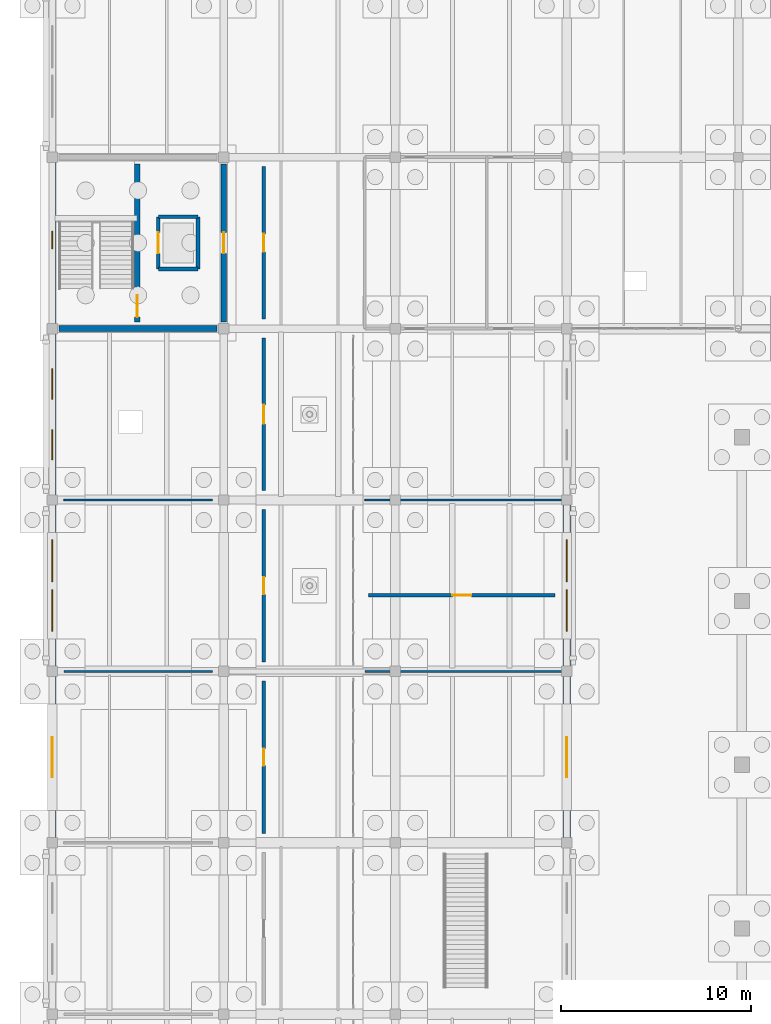
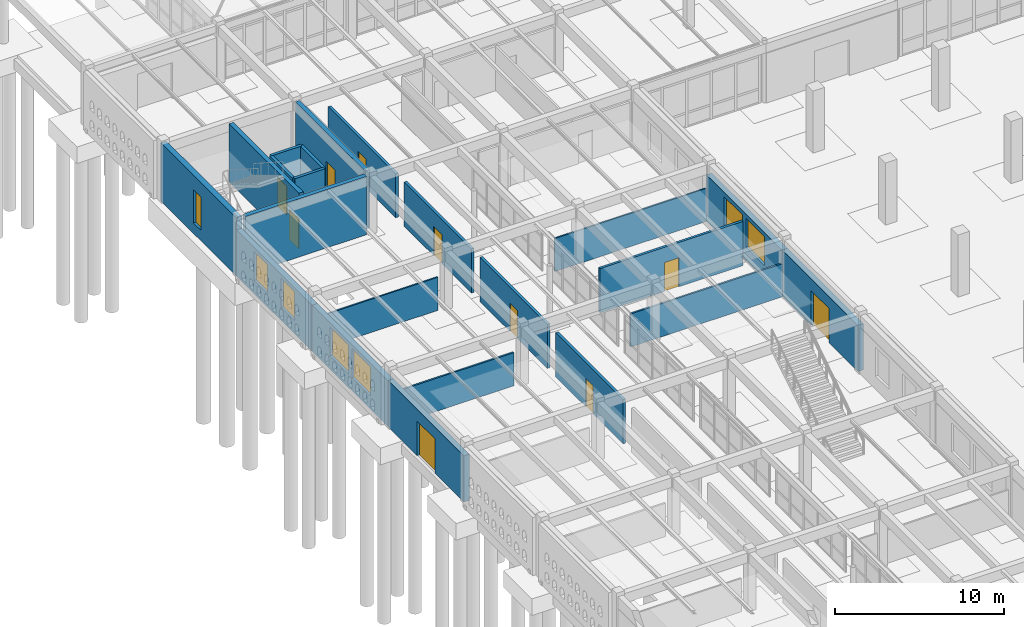
# One storey, part 163 of 186: 22 walls, 10 doors, 7 windows, 17 openings.
"""IFC4 building model written with IfcOpenShell, lengths in metres."""

from ifc_helpers import new_model, si_unit, direction, frame, frame_2d, origin, place, context, subcontext, project, spatial, rectangle, extrude, material, layer, layer_set, type_object, element, fill, save


model = new_model("IFC4")

# Units and contexts
model_context = context("Model", 3, precision=1e-05, world=origin(), true_north=direction((0.0, 1.0)))
body_context = subcontext(model_context, "Body", "Model", "MODEL_VIEW")
ifc_project = project(units=[si_unit("LENGTHUNIT", "METRE"), si_unit("AREAUNIT", "SQUARE_METRE"), si_unit("VOLUMEUNIT", "CUBIC_METRE"), si_unit("PLANEANGLEUNIT", "RADIAN"), si_unit("MASSUNIT", "GRAM", prefix="KILO")], contexts=[model_context])

# Site, building, storey
site_placement = place(None, origin())
site = spatial("IfcSite", under=ifc_project, at=site_placement, CompositionType="ELEMENT")
building_placement = place(site_placement, origin())
building = spatial("IfcBuilding", under=site, at=building_placement, Name="Ornek Quay Market", CompositionType="ELEMENT")
storey_placement = place(building_placement, origin())
storey = spatial("IfcBuildingStorey", under=building, at=storey_placement, Name="L00", CompositionType="ELEMENT", Elevation=0.0)

# Wall, opening, door
ifc_material_1 = material(Name="Concrete C40/50", Category="concrete")
ifc_layer_1 = layer(ifc_material_1, 0.300048828125, Name="Concrete C40/50", Category="concrete")
ifc_layer_set_1 = layer_set([ifc_layer_1], Name="Concrete C40/50")
wall_type_1 = type_object("IfcWallType", Name="WL-CORE-300", PredefinedType="SHEAR", material=ifc_layer_set_1)
wall_1_placement = place(storey_placement, frame((4.449951171875, 92.35009765625, 0.0), z_axis=(0.0, 0.0, 1.0), x_axis=(0.0, 1.0, 0.0)))
wall_1 = element("IfcWall", 1, at=wall_1_placement, inside=storey, type_object=wall_type_1, Name="Interior wall W-CORE1-001", PredefinedType="SHEAR", context=body_context, shape_type="SweptSolid", body=[
    extrude(rectangle(XDim=8.2998046875, YDim=0.300048828125, at=frame_2d((4.14990234375, 0.0))), origin(), (0.0, 0.0, 1.0), 4.219970703125),
])
opening_1_placement = place(wall_1_placement, frame((0.25, 0.0, 0.0)))
opening_1 = element("IfcOpeningElement", 2, at=opening_1_placement, cuts=wall_1, Name="Opening FD-03-001", PredefinedType="OPENING", context=body_context, shape_type="SweptSolid", body=[
    extrude(rectangle(XDim=1.14990234375, YDim=2.14990234375, at=frame_2d((0.574951171875, 1.074951171875))), frame((0.0, 0.159912109375, 0.0), z_axis=(0.0, -1.0, 0.0), x_axis=(1.0, 0.0, 0.0)), (0.0, 0.0, 1.0), 0.320068359375),
])
ifc_material_2 = material(Name="Insulated fire-rated painted steel", Category="steel")
door_type_1 = type_object("IfcDoorType", Name="DR-FIRE-STAIR-1150x2150", OperationType="NOTDEFINED", PredefinedType="DOOR", material=ifc_material_2)
door_1_placement = place(opening_1_placement, origin())
door_1 = element("IfcDoor", 3, at=door_1_placement, inside=storey, type_object=door_type_1, Name="Interior door FD-03-001", OperationType="SINGLE_SWING_RIGHT", OverallHeight=2.14990234375, OverallWidth=1.14990234375, PredefinedType="DOOR", context=body_context, shape_type="SweptSolid", body=[
    extrude(rectangle(XDim=1.14990234375, YDim=2.14990234375, at=frame_2d((0.574951171875, 1.074951171875))), frame((0.0, 0.02490234375, 0.0), z_axis=(0.0, -1.0, 0.0), x_axis=(1.0, 0.0, 0.0)), (0.0, 0.0, 1.0), 0.050048828125),
])
fill(opening_1, door_1)

wall_2_placement = place(storey_placement, frame((9.0, 92.35009765625, 0.0), z_axis=(0.0, 0.0, 1.0), x_axis=(0.0, 1.0, 0.0)))
wall_2 = element("IfcWall", 4, at=wall_2_placement, inside=storey, type_object=wall_type_1, Name="Interior wall W-CORE1-002", PredefinedType="SHEAR", context=body_context, shape_type="SweptSolid", body=[
    extrude(rectangle(XDim=8.2998046875, YDim=0.300048828125, at=frame_2d((4.14990234375, 0.0))), origin(), (0.0, 0.0, 1.0), 4.219970703125),
])
opening_2_placement = place(wall_2_placement, frame((3.60009765625, 0.0, 0.0)))
opening_2 = element("IfcOpeningElement", 5, at=opening_2_placement, cuts=wall_2, Name="Opening FD-04-002", PredefinedType="OPENING", context=body_context, shape_type="SweptSolid", body=[
    extrude(rectangle(XDim=1.10009765625, YDim=2.10009765625, at=frame_2d((0.550048828125, 1.050048828125))), frame((0.0, 0.159912109375, 0.0), z_axis=(0.0, -1.0, 0.0), x_axis=(1.0, 0.0, 0.0)), (0.0, 0.0, 1.0), 0.320068359375),
])
door_type_2 = type_object("IfcDoorType", Name="DR-FIRE-LOBBY-1100x2100", OperationType="NOTDEFINED", PredefinedType="DOOR", material=ifc_material_2)
door_2_placement = place(opening_2_placement, origin())
door_2 = element("IfcDoor", 6, at=door_2_placement, inside=storey, type_object=door_type_2, Name="Interior door FD-04-002", OperationType="SINGLE_SWING_LEFT", OverallHeight=2.10009765625, OverallWidth=1.10009765625, PredefinedType="DOOR", context=body_context, shape_type="SweptSolid", body=[
    extrude(rectangle(XDim=1.10009765625, YDim=2.10009765625, at=frame_2d((0.550048828125, 1.050048828125))), frame((0.0, 0.02490234375, 0.0), z_axis=(0.0, -1.0, 0.0), x_axis=(1.0, 0.0, 0.0)), (0.0, 0.0, 1.0), 0.050048828125),
])
fill(opening_2, door_2)

# Wall
wall_3_placement = place(storey_placement, frame((0.35009765625, 92.0, 0.0), z_axis=(0.0, 0.0, 1.0), x_axis=(1.0, 0.0, 0.0)))
element("IfcWall", 7, at=wall_3_placement, inside=storey, type_object=wall_type_1, Name="Interior wall W-CORE1-003", PredefinedType="SHEAR", context=body_context, shape_type="SweptSolid", body=[
    extrude(rectangle(XDim=8.2998046875, YDim=0.300048828125, at=frame_2d((4.14990234375, 0.0))), origin(), (0.0, 0.0, 1.0), 4.219970703125),
])

# Wall, opening, door
ifc_material_3 = material(Name="Autoclaved aerated concrete masonry", Category="masonry")
ifc_layer_2 = layer(ifc_material_3, 0.179931640625, Name="Autoclaved aerated concrete masonry", Category="masonry")
ifc_layer_set_2 = layer_set([ifc_layer_2], Name="Autoclaved aerated concrete masonry")
wall_type_2 = type_object("IfcWallType", Name="WL-CORR-180", PredefinedType="STANDARD", material=ifc_layer_set_2)
wall_4_placement = place(storey_placement, frame((11.10009765625, 65.5, 0.0), z_axis=(0.0, 0.0, 1.0), x_axis=(0.0, 1.0, 0.0)))
wall_4 = element("IfcWall", 8, at=wall_4_placement, inside=storey, type_object=wall_type_2, Name="Interior wall W-INT1-230", PredefinedType="STANDARD", context=body_context, shape_type="SweptSolid", body=[
    extrude(rectangle(XDim=8.0, YDim=0.179931640625, at=frame_2d((4.0, 0.0))), origin(), (0.0, 0.0, 1.0), 3.199951171875),
])
opening_3_placement = place(wall_4_placement, frame((3.550048828125, 0.0, 0.0)))
opening_3 = element("IfcOpeningElement", 9, at=opening_3_placement, cuts=wall_4, Name="Opening ID-05-103", PredefinedType="OPENING", context=body_context, shape_type="SweptSolid", body=[
    extrude(rectangle(XDim=0.89990234375, YDim=2.050048828125, at=frame_2d((0.449951171875, 1.02490234375))), frame((0.0, 0.099853515625, 0.0), z_axis=(0.0, -1.0, 0.0), x_axis=(1.0, 0.0, 0.0)), (0.0, 0.0, 1.0), 0.199951171875),
])
ifc_material_4 = material(Name="Timber market stall service door", Category="wood")
door_type_3 = type_object("IfcDoorType", Name="DR-INT-STALL-900x2050", OperationType="NOTDEFINED", PredefinedType="DOOR", material=ifc_material_4)
door_3_placement = place(opening_3_placement, origin())
door_3 = element("IfcDoor", 10, at=door_3_placement, inside=storey, type_object=door_type_3, Name="Interior door ID-05-103", OperationType="SINGLE_SWING_RIGHT", OverallHeight=2.050048828125, OverallWidth=0.89990234375, PredefinedType="DOOR", context=body_context, shape_type="SweptSolid", body=[
    extrude(rectangle(XDim=0.89990234375, YDim=2.050048828125, at=frame_2d((0.449951171875, 1.02490234375))), frame((0.0, 0.02490234375, 0.0), z_axis=(0.0, -1.0, 0.0), x_axis=(1.0, 0.0, 0.0)), (0.0, 0.0, 1.0), 0.050048828125),
])
fill(opening_3, door_3)

wall_5_placement = place(storey_placement, frame((11.10009765625, 74.5, 0.0), z_axis=(0.0, 0.0, 1.0), x_axis=(0.0, 1.0, 0.0)))
wall_5 = element("IfcWall", 11, at=wall_5_placement, inside=storey, type_object=wall_type_2, Name="Interior wall W-INT1-231", PredefinedType="STANDARD", context=body_context, shape_type="SweptSolid", body=[
    extrude(rectangle(XDim=8.0, YDim=0.179931640625, at=frame_2d((4.0, 0.0))), origin(), (0.0, 0.0, 1.0), 3.199951171875),
])
opening_4_placement = place(wall_5_placement, frame((3.550048828125, 0.0, 0.0)))
opening_4 = element("IfcOpeningElement", 12, at=opening_4_placement, cuts=wall_5, Name="Opening ID-05-104", PredefinedType="OPENING", context=body_context, shape_type="SweptSolid", body=[
    extrude(rectangle(XDim=0.89990234375, YDim=2.050048828125, at=frame_2d((0.449951171875, 1.02490234375))), frame((0.0, 0.099853515625, 0.0), z_axis=(0.0, -1.0, 0.0), x_axis=(1.0, 0.0, 0.0)), (0.0, 0.0, 1.0), 0.199951171875),
])
door_4_placement = place(opening_4_placement, origin())
door_4 = element("IfcDoor", 13, at=door_4_placement, inside=storey, type_object=door_type_3, Name="Interior door ID-05-104", OperationType="SINGLE_SWING_LEFT", OverallHeight=2.050048828125, OverallWidth=0.89990234375, PredefinedType="DOOR", context=body_context, shape_type="SweptSolid", body=[
    extrude(rectangle(XDim=0.89990234375, YDim=2.050048828125, at=frame_2d((0.449951171875, 1.02490234375))), frame((0.0, 0.02490234375, 0.0), z_axis=(0.0, -1.0, 0.0), x_axis=(1.0, 0.0, 0.0)), (0.0, 0.0, 1.0), 0.050048828125),
])
fill(opening_4, door_4)

wall_6_placement = place(storey_placement, frame((11.10009765625, 83.5, 0.0), z_axis=(0.0, 0.0, 1.0), x_axis=(0.0, 1.0, 0.0)))
wall_6 = element("IfcWall", 14, at=wall_6_placement, inside=storey, type_object=wall_type_2, Name="Interior wall W-INT1-232", PredefinedType="STANDARD", context=body_context, shape_type="SweptSolid", body=[
    extrude(rectangle(XDim=8.0, YDim=0.179931640625, at=frame_2d((4.0, 0.0))), origin(), (0.0, 0.0, 1.0), 3.199951171875),
])
opening_5_placement = place(wall_6_placement, frame((3.5, 0.0, 0.0)))
opening_5 = element("IfcOpeningElement", 15, at=opening_5_placement, cuts=wall_6, Name="Opening ID-03-105", PredefinedType="OPENING", context=body_context, shape_type="SweptSolid", body=[
    extrude(rectangle(XDim=1.0, YDim=2.10009765625, at=frame_2d((0.5, 1.050048828125))), frame((0.0, 0.099853515625, 0.0), z_axis=(0.0, -1.0, 0.0), x_axis=(1.0, 0.0, 0.0)), (0.0, 0.0, 1.0), 0.199951171875),
])
ifc_material_5 = material(Name="Solid oak door", Category="other")
door_type_4 = type_object("IfcDoorType", Name="DR-INT-ROOM-1000x2100", OperationType="NOTDEFINED", PredefinedType="DOOR", material=ifc_material_5)
door_5_placement = place(opening_5_placement, origin())
door_5 = element("IfcDoor", 16, at=door_5_placement, inside=storey, type_object=door_type_4, Name="Interior door ID-03-105", OperationType="SINGLE_SWING_RIGHT", OverallHeight=2.10009765625, OverallWidth=1.0, PredefinedType="DOOR", context=body_context, shape_type="SweptSolid", body=[
    extrude(rectangle(XDim=1.0, YDim=2.10009765625, at=frame_2d((0.5, 1.050048828125))), frame((0.0, 0.02490234375, 0.0), z_axis=(0.0, -1.0, 0.0), x_axis=(1.0, 0.0, 0.0)), (0.0, 0.0, 1.0), 0.050048828125),
])
fill(opening_5, door_5)

wall_7_placement = place(storey_placement, frame((11.10009765625, 92.5, 0.0), z_axis=(0.0, 0.0, 1.0), x_axis=(0.0, 1.0, 0.0)))
wall_7 = element("IfcWall", 17, at=wall_7_placement, inside=storey, type_object=wall_type_2, Name="Interior wall W-INT1-233", PredefinedType="STANDARD", context=body_context, shape_type="SweptSolid", body=[
    extrude(rectangle(XDim=8.0, YDim=0.179931640625, at=frame_2d((4.0, 0.0))), origin(), (0.0, 0.0, 1.0), 3.199951171875),
])
opening_6_placement = place(wall_7_placement, frame((3.52490234375, 0.0, 0.0)))
opening_6 = element("IfcOpeningElement", 18, at=opening_6_placement, cuts=wall_7, Name="Opening ID-04-106", PredefinedType="OPENING", context=body_context, shape_type="SweptSolid", body=[
    extrude(rectangle(XDim=0.949951171875, YDim=2.10009765625, at=frame_2d((0.47509765625, 1.050048828125))), frame((0.0, 0.099853515625, 0.0), z_axis=(0.0, -1.0, 0.0), x_axis=(1.0, 0.0, 0.0)), (0.0, 0.0, 1.0), 0.199951171875),
])
ifc_material_6 = material(Name="Moisture-resistant laminate door", Category="other")
door_type_5 = type_object("IfcDoorType", Name="DR-INT-WC-950x2100", OperationType="NOTDEFINED", PredefinedType="DOOR", material=ifc_material_6)
door_6_placement = place(opening_6_placement, origin())
door_6 = element("IfcDoor", 19, at=door_6_placement, inside=storey, type_object=door_type_5, Name="Interior door ID-04-106", OperationType="SINGLE_SWING_LEFT", OverallHeight=2.10009765625, OverallWidth=0.949951171875, PredefinedType="DOOR", context=body_context, shape_type="SweptSolid", body=[
    extrude(rectangle(XDim=0.949951171875, YDim=2.10009765625, at=frame_2d((0.47509765625, 1.050048828125))), frame((0.0, 0.02490234375, 0.0), z_axis=(0.0, -1.0, 0.0), x_axis=(1.0, 0.0, 0.0)), (0.0, 0.0, 1.0), 0.050048828125),
])
fill(opening_6, door_6)

ifc_material_7 = material(Name="Frost-resistant facing clay brick M200 F100", Category="masonry")
ifc_layer_3 = layer(ifc_material_7, 0.3798828125, Name="Frost-resistant facing clay brick M200 F100", Category="masonry")
ifc_layer_set_3 = layer_set([ifc_layer_3], Name="Frost-resistant facing clay brick M200 F100")
wall_type_3 = type_object("IfcWallType", Name="WL-EXT-WING-380", PredefinedType="STANDARD", material=ifc_layer_set_3)
wall_8_placement = place(storey_placement, frame((0.0, 65.0, 0.0), z_axis=(0.0, 0.0, 1.0), x_axis=(0.0, 1.0, 0.0)))
wall_8 = element("IfcWall", 20, at=wall_8_placement, inside=storey, type_object=wall_type_3, Name="Exterior wall EW-044", PredefinedType="STANDARD", context=body_context, shape_type="SweptSolid", body=[
    extrude(rectangle(XDim=9.0, YDim=0.3798828125, at=frame_2d((4.5, 0.0))), origin(), (0.0, 0.0, 1.0), 3.35009765625),
])
opening_7_placement = place(wall_8_placement, frame((3.449951171875, 0.0, 0.0)))
opening_7 = element("IfcOpeningElement", 21, at=opening_7_placement, cuts=wall_8, Name="Opening ED-02-003", PredefinedType="OPENING", context=body_context, shape_type="SweptSolid", body=[
    extrude(rectangle(XDim=2.10009765625, YDim=2.5, at=frame_2d((1.050048828125, 1.25))), frame((0.0, 0.199951171875, 0.0), z_axis=(0.0, -1.0, 0.0), x_axis=(1.0, 0.0, 0.0)), (0.0, 0.0, 1.0), 0.39990234375),
])
ifc_material_8 = material(Name="Anodised bronze aluminium and triple glass", Category="aluminium")
door_type_6 = type_object("IfcDoorType", Name="DR-EXT-DBL-2100x2500", OperationType="DOUBLE_DOOR_SINGLE_SWING", PredefinedType="DOOR", material=ifc_material_8)
door_7_placement = place(opening_7_placement, origin())
door_7 = element("IfcDoor", 22, at=door_7_placement, inside=storey, type_object=door_type_6, Name="Exterior door ED-02-003", OperationType="DOUBLE_DOOR_SINGLE_SWING", OverallHeight=2.5, OverallWidth=2.10009765625, PredefinedType="DOOR", context=body_context, shape_type="SweptSolid", body=[
    extrude(rectangle(XDim=2.10009765625, YDim=2.5, at=frame_2d((1.050048828125, 1.25))), frame((0.0, 0.02490234375, 0.0), z_axis=(0.0, -1.0, 0.0), x_axis=(1.0, 0.0, 0.0)), (0.0, 0.0, 1.0), 0.050048828125),
])
fill(opening_7, door_7)

# Wall, openings, windows
wall_9_placement = place(storey_placement, frame((0.0, 74.0, 0.0), z_axis=(0.0, 0.0, 1.0), x_axis=(0.0, 1.0, 0.0)))
wall_9 = element("IfcWall", 23, at=wall_9_placement, inside=storey, type_object=wall_type_3, Name="Exterior wall EW-045", PredefinedType="STANDARD", context=body_context, shape_type="SweptSolid", body=[
    extrude(rectangle(XDim=9.0, YDim=0.3798828125, at=frame_2d((4.5, 0.0))), origin(), (0.0, 0.0, 1.0), 3.35009765625),
])
opening_8_placement = place(wall_9_placement, frame((2.10009765625, 0.0, 0.949951171875)))
opening_8 = element("IfcOpeningElement", 24, at=opening_8_placement, cuts=wall_9, Name="Opening W-12-008", PredefinedType="OPENING", context=body_context, shape_type="SweptSolid", body=[
    extrude(rectangle(XDim=2.199951171875, YDim=2.10009765625, at=frame_2d((1.10009765625, 1.050048828125))), frame((0.0, 0.199951171875, 0.0), z_axis=(0.0, -1.0, 0.0), x_axis=(1.0, 0.0, 0.0)), (0.0, 0.0, 1.0), 0.39990234375),
])
opening_9_placement = place(wall_9_placement, frame((4.699951171875, 0.0, 0.949951171875)))
opening_9 = element("IfcOpeningElement", 25, at=opening_9_placement, cuts=wall_9, Name="Opening W-12-009", PredefinedType="OPENING", context=body_context, shape_type="SweptSolid", body=[
    extrude(rectangle(XDim=2.199951171875, YDim=2.10009765625, at=frame_2d((1.10009765625, 1.050048828125))), frame((0.0, 0.199951171875, 0.0), z_axis=(0.0, -1.0, 0.0), x_axis=(1.0, 0.0, 0.0)), (0.0, 0.0, 1.0), 0.39990234375),
])
ifc_material_9 = material(Name="Thermally broken bronze aluminium and triple low-e glass", Category="aluminium")
window_type_1 = type_object("IfcWindowType", Name="WN-WW-2200x2100", PartitioningType="DOUBLE_PANEL_VERTICAL", PredefinedType="WINDOW", material=ifc_material_9)
window_1_placement = place(opening_8_placement, origin())
window_1 = element("IfcWindow", 26, at=window_1_placement, inside=storey, type_object=window_type_1, Name="Window W-12-008", OverallHeight=2.10009765625, OverallWidth=2.199951171875, PartitioningType="SINGLE_PANEL", PredefinedType="WINDOW", context=body_context, shape_type="SweptSolid", body=[
    extrude(rectangle(XDim=2.199951171875, YDim=2.10009765625, at=frame_2d((1.10009765625, 1.050048828125))), frame((0.0, 0.030029296875, 0.0), z_axis=(0.0, -1.0, 0.0), x_axis=(1.0, 0.0, 0.0)), (0.0, 0.0, 1.0), 0.06005859375),
])
fill(opening_8, window_1)
window_2_placement = place(opening_9_placement, origin())
window_2 = element("IfcWindow", 27, at=window_2_placement, inside=storey, type_object=window_type_1, Name="Window W-12-009", OverallHeight=2.10009765625, OverallWidth=2.199951171875, PartitioningType="SINGLE_PANEL", PredefinedType="WINDOW", context=body_context, shape_type="SweptSolid", body=[
    extrude(rectangle(XDim=2.199951171875, YDim=2.10009765625, at=frame_2d((1.10009765625, 1.050048828125))), frame((0.0, 0.030029296875, 0.0), z_axis=(0.0, -1.0, 0.0), x_axis=(1.0, 0.0, 0.0)), (0.0, 0.0, 1.0), 0.06005859375),
])
fill(opening_9, window_2)

wall_10_placement = place(storey_placement, frame((0.0, 83.0, 0.0), z_axis=(0.0, 0.0, 1.0), x_axis=(0.0, 1.0, 0.0)))
wall_10 = element("IfcWall", 28, at=wall_10_placement, inside=storey, type_object=wall_type_3, Name="Exterior wall EW-046", PredefinedType="STANDARD", context=body_context, shape_type="SweptSolid", body=[
    extrude(rectangle(XDim=9.0, YDim=0.3798828125, at=frame_2d((4.5, 0.0))), origin(), (0.0, 0.0, 1.0), 3.35009765625),
])
opening_10_placement = place(wall_10_placement, frame((2.10009765625, 0.0, 0.949951171875)))
opening_10 = element("IfcOpeningElement", 29, at=opening_10_placement, cuts=wall_10, Name="Opening W-13-010", PredefinedType="OPENING", context=body_context, shape_type="SweptSolid", body=[
    extrude(rectangle(XDim=1.60009765625, YDim=2.10009765625, at=frame_2d((0.800048828125, 1.050048828125))), frame((0.0, 0.199951171875, 0.0), z_axis=(0.0, -1.0, 0.0), x_axis=(1.0, 0.0, 0.0)), (0.0, 0.0, 1.0), 0.39990234375),
])
opening_11_placement = place(wall_10_placement, frame((5.300048828125, 0.0, 0.949951171875)))
opening_11 = element("IfcOpeningElement", 30, at=opening_11_placement, cuts=wall_10, Name="Opening W-13-011", PredefinedType="OPENING", context=body_context, shape_type="SweptSolid", body=[
    extrude(rectangle(XDim=1.60009765625, YDim=2.10009765625, at=frame_2d((0.800048828125, 1.050048828125))), frame((0.0, 0.199951171875, 0.0), z_axis=(0.0, -1.0, 0.0), x_axis=(1.0, 0.0, 0.0)), (0.0, 0.0, 1.0), 0.39990234375),
])
window_type_2 = type_object("IfcWindowType", Name="WN-WW-1600x2100", PartitioningType="DOUBLE_PANEL_VERTICAL", PredefinedType="WINDOW", material=ifc_material_9)
window_3_placement = place(opening_10_placement, origin())
window_3 = element("IfcWindow", 31, at=window_3_placement, inside=storey, type_object=window_type_2, Name="Window W-13-010", OverallHeight=2.10009765625, OverallWidth=1.60009765625, PartitioningType="SINGLE_PANEL", PredefinedType="WINDOW", context=body_context, shape_type="SweptSolid", body=[
    extrude(rectangle(XDim=1.60009765625, YDim=2.10009765625, at=frame_2d((0.800048828125, 1.050048828125))), frame((0.0, 0.030029296875, 0.0), z_axis=(0.0, -1.0, 0.0), x_axis=(1.0, 0.0, 0.0)), (0.0, 0.0, 1.0), 0.06005859375),
])
fill(opening_10, window_3)
window_4_placement = place(opening_11_placement, origin())
window_4 = element("IfcWindow", 32, at=window_4_placement, inside=storey, type_object=window_type_2, Name="Window W-13-011", OverallHeight=2.10009765625, OverallWidth=1.60009765625, PartitioningType="SINGLE_PANEL", PredefinedType="WINDOW", context=body_context, shape_type="SweptSolid", body=[
    extrude(rectangle(XDim=1.60009765625, YDim=2.10009765625, at=frame_2d((0.800048828125, 1.050048828125))), frame((0.0, 0.030029296875, 0.0), z_axis=(0.0, -1.0, 0.0), x_axis=(1.0, 0.0, 0.0)), (0.0, 0.0, 1.0), 0.06005859375),
])
fill(opening_11, window_4)

# Wall, opening, window
wall_11_placement = place(storey_placement, frame((0.0, 92.0, 0.0), z_axis=(0.0, 0.0, 1.0), x_axis=(0.0, 1.0, 0.0)))
wall_11 = element("IfcWall", 33, at=wall_11_placement, inside=storey, type_object=wall_type_3, Name="Exterior wall EW-047", PredefinedType="STANDARD", context=body_context, shape_type="SweptSolid", body=[
    extrude(rectangle(XDim=9.0, YDim=0.3798828125, at=frame_2d((4.5, 0.0))), origin(), (0.0, 0.0, 1.0), 4.219970703125),
])
opening_12_placement = place(wall_11_placement, frame((4.199951171875, 0.0, 0.760009765625)))
opening_12 = element("IfcOpeningElement", 34, at=opening_12_placement, cuts=wall_11, Name="Opening W-17-012", PredefinedType="OPENING", context=body_context, shape_type="SweptSolid", body=[
    extrude(rectangle(XDim=0.89990234375, YDim=2.39990234375, at=frame_2d((0.449951171875, 1.199951171875))), frame((0.0, 0.199951171875, 0.0), z_axis=(0.0, -1.0, 0.0), x_axis=(1.0, 0.0, 0.0)), (0.0, 0.0, 1.0), 0.39990234375),
])
window_type_3 = type_object("IfcWindowType", Name="WN-CORE-900x2400", PartitioningType="SINGLE_PANEL", PredefinedType="WINDOW", material=ifc_material_9)
window_5_placement = place(opening_12_placement, origin())
window_5 = element("IfcWindow", 35, at=window_5_placement, inside=storey, type_object=window_type_3, Name="Window W-17-012", OverallHeight=2.39990234375, OverallWidth=0.89990234375, PartitioningType="SINGLE_PANEL", PredefinedType="WINDOW", context=body_context, shape_type="SweptSolid", body=[
    extrude(rectangle(XDim=0.89990234375, YDim=2.39990234375, at=frame_2d((0.449951171875, 1.199951171875))), frame((0.0, 0.030029296875, 0.0), z_axis=(0.0, -1.0, 0.0), x_axis=(1.0, 0.0, 0.0)), (0.0, 0.0, 1.0), 0.06005859375),
])
fill(opening_12, window_5)

# Wall, opening, door
wall_12_placement = place(storey_placement, frame((27.0, 65.0, 0.0), z_axis=(0.0, 0.0, 1.0), x_axis=(0.0, 1.0, 0.0)))
wall_12 = element("IfcWall", 36, at=wall_12_placement, inside=storey, type_object=wall_type_3, Name="Exterior wall EW-053", PredefinedType="STANDARD", context=body_context, shape_type="SweptSolid", body=[
    extrude(rectangle(XDim=9.0, YDim=0.3798828125, at=frame_2d((4.5, 0.0))), origin(), (0.0, 0.0, 1.0), 3.35009765625),
])
opening_13_placement = place(wall_12_placement, frame((3.449951171875, 0.0, 0.0)))
opening_13 = element("IfcOpeningElement", 37, at=opening_13_placement, cuts=wall_12, Name="Opening ED-02-005", PredefinedType="OPENING", context=body_context, shape_type="SweptSolid", body=[
    extrude(rectangle(XDim=2.10009765625, YDim=2.5, at=frame_2d((1.050048828125, 1.25))), frame((0.0, 0.199951171875, 0.0), z_axis=(0.0, -1.0, 0.0), x_axis=(1.0, 0.0, 0.0)), (0.0, 0.0, 1.0), 0.39990234375),
])
door_8_placement = place(opening_13_placement, origin())
door_8 = element("IfcDoor", 38, at=door_8_placement, inside=storey, type_object=door_type_6, Name="Exterior door ED-02-005", OperationType="DOUBLE_DOOR_SINGLE_SWING", OverallHeight=2.5, OverallWidth=2.10009765625, PredefinedType="DOOR", context=body_context, shape_type="SweptSolid", body=[
    extrude(rectangle(XDim=2.10009765625, YDim=2.5, at=frame_2d((1.050048828125, 1.25))), frame((0.0, 0.02490234375, 0.0), z_axis=(0.0, -1.0, 0.0), x_axis=(1.0, 0.0, 0.0)), (0.0, 0.0, 1.0), 0.050048828125),
])
fill(opening_13, door_8)

# Wall, openings, windows
wall_13_placement = place(storey_placement, frame((27.0, 74.0, 0.0), z_axis=(0.0, 0.0, 1.0), x_axis=(0.0, 1.0, 0.0)))
wall_13 = element("IfcWall", 39, at=wall_13_placement, inside=storey, type_object=wall_type_3, Name="Exterior wall EW-054", PredefinedType="STANDARD", context=body_context, shape_type="SweptSolid", body=[
    extrude(rectangle(XDim=9.0, YDim=0.3798828125, at=frame_2d((4.5, 0.0))), origin(), (0.0, 0.0, 1.0), 3.35009765625),
])
opening_14_placement = place(wall_13_placement, frame((2.10009765625, 0.0, 0.949951171875)))
opening_14 = element("IfcOpeningElement", 40, at=opening_14_placement, cuts=wall_13, Name="Opening W-12-021", PredefinedType="OPENING", context=body_context, shape_type="SweptSolid", body=[
    extrude(rectangle(XDim=2.199951171875, YDim=2.10009765625, at=frame_2d((1.10009765625, 1.050048828125))), frame((0.0, 0.199951171875, 0.0), z_axis=(0.0, -1.0, 0.0), x_axis=(1.0, 0.0, 0.0)), (0.0, 0.0, 1.0), 0.39990234375),
])
opening_15_placement = place(wall_13_placement, frame((4.699951171875, 0.0, 0.949951171875)))
opening_15 = element("IfcOpeningElement", 41, at=opening_15_placement, cuts=wall_13, Name="Opening W-12-022", PredefinedType="OPENING", context=body_context, shape_type="SweptSolid", body=[
    extrude(rectangle(XDim=2.199951171875, YDim=2.10009765625, at=frame_2d((1.10009765625, 1.050048828125))), frame((0.0, 0.199951171875, 0.0), z_axis=(0.0, -1.0, 0.0), x_axis=(1.0, 0.0, 0.0)), (0.0, 0.0, 1.0), 0.39990234375),
])
window_6_placement = place(opening_14_placement, origin())
window_6 = element("IfcWindow", 42, at=window_6_placement, inside=storey, type_object=window_type_1, Name="Window W-12-021", OverallHeight=2.10009765625, OverallWidth=2.199951171875, PartitioningType="SINGLE_PANEL", PredefinedType="WINDOW", context=body_context, shape_type="SweptSolid", body=[
    extrude(rectangle(XDim=2.199951171875, YDim=2.10009765625, at=frame_2d((1.10009765625, 1.050048828125))), frame((0.0, 0.030029296875, 0.0), z_axis=(0.0, -1.0, 0.0), x_axis=(1.0, 0.0, 0.0)), (0.0, 0.0, 1.0), 0.06005859375),
])
fill(opening_14, window_6)
window_7_placement = place(opening_15_placement, origin())
window_7 = element("IfcWindow", 43, at=window_7_placement, inside=storey, type_object=window_type_1, Name="Window W-12-022", OverallHeight=2.10009765625, OverallWidth=2.199951171875, PartitioningType="SINGLE_PANEL", PredefinedType="WINDOW", context=body_context, shape_type="SweptSolid", body=[
    extrude(rectangle(XDim=2.199951171875, YDim=2.10009765625, at=frame_2d((1.10009765625, 1.050048828125))), frame((0.0, 0.030029296875, 0.0), z_axis=(0.0, -1.0, 0.0), x_axis=(1.0, 0.0, 0.0)), (0.0, 0.0, 1.0), 0.06005859375),
])
fill(opening_15, window_7)

# Wall, opening, door
ifc_material_10 = material(Name="Concrete C35/45", Category="concrete")
ifc_layer_4 = layer(ifc_material_10, 0.199951171875, Name="Concrete C35/45", Category="concrete")
ifc_layer_set_4 = layer_set([ifc_layer_4], Name="Concrete C35/45")
wall_type_4 = type_object("IfcWallType", Name="WL-SHAFT-200", PredefinedType="SOLIDWALL", material=ifc_layer_set_4)
wall_14_placement = place(storey_placement, frame((5.56005859375, 95.1298828125, 0.0), z_axis=(0.0, 0.0, 1.0), x_axis=(0.0, 1.0, 0.0)))
wall_14 = element("IfcWall", 44, at=wall_14_placement, inside=storey, type_object=wall_type_4, Name="Interior wall W-CORE3-005", PredefinedType="SOLIDWALL", context=body_context, shape_type="SweptSolid", body=[
    extrude(rectangle(XDim=2.740234375, YDim=0.199951171875, at=frame_2d((1.3701171875, 0.0))), origin(), (0.0, 0.0, 1.0), 3.199951171875),
])
opening_16_placement = place(wall_14_placement, frame((0.820068359375, 0.0, 0.0)))
opening_16 = element("IfcOpeningElement", 45, at=opening_16_placement, cuts=wall_14, Name="Opening LD-01-003", PredefinedType="OPENING", context=body_context, shape_type="SweptSolid", body=[
    extrude(rectangle(XDim=1.10009765625, YDim=2.10009765625, at=frame_2d((0.550048828125, 1.050048828125))), frame((0.0, 0.10986328125, 0.0), z_axis=(0.0, -1.0, 0.0), x_axis=(1.0, 0.0, 0.0)), (0.0, 0.0, 1.0), 0.219970703125),
])
ifc_material_11 = material(Name="Brushed stainless steel landing door", Category="steel")
door_type_7 = type_object("IfcDoorType", Name="DR-LIFT-1100x2100", OperationType="SLIDING_TO_LEFT", PredefinedType="DOOR", material=ifc_material_11)
door_9_placement = place(opening_16_placement, origin())
door_9 = element("IfcDoor", 46, at=door_9_placement, inside=storey, type_object=door_type_7, Name="Interior door LD-01-003", OperationType="SLIDING_TO_LEFT", OverallHeight=2.10009765625, OverallWidth=1.10009765625, PredefinedType="DOOR", context=body_context, shape_type="SweptSolid", body=[
    extrude(rectangle(XDim=1.10009765625, YDim=2.10009765625, at=frame_2d((0.550048828125, 1.050048828125))), frame((0.0, 0.02490234375, 0.0), z_axis=(0.0, -1.0, 0.0), x_axis=(1.0, 0.0, 0.0)), (0.0, 0.0, 1.0), 0.050048828125),
])
fill(opening_16, door_9)

# Walls
for number, where, z_axis, x_axis, name in (
    (47, (5.56005859375, 95.1298828125, 0.0), (0.0, 0.0, 1.0), (1.0, 0.0, 0.0), "Interior wall W-CORE3-006"),
    (48, (5.56005859375, 97.8701171875, 0.0), (0.0, 0.0, 1.0), (1.0, 0.0, 0.0), "Interior wall W-CORE3-007"),
):
    element("IfcWall", number, at=place(storey_placement, frame(where, z_axis=z_axis, x_axis=x_axis)), inside=storey, type_object=wall_type_4, Name=name, PredefinedType="SOLIDWALL", context=body_context, shape_type="SweptSolid", body=[
        extrude(rectangle(XDim=2.079833984375, YDim=0.199951171875, at=frame_2d((1.0400390625, 0.0))), origin(), (0.0, 0.0, 1.0), 3.199951171875),
    ])
wall_15_placement = place(storey_placement, frame((7.639892578125, 95.1298828125, 0.0), z_axis=(0.0, 0.0, 1.0), x_axis=(0.0, 1.0, 0.0)))
element("IfcWall", 49, at=wall_15_placement, inside=storey, type_object=wall_type_4, Name="Interior wall W-CORE3-008", PredefinedType="SOLIDWALL", context=body_context, shape_type="SweptSolid", body=[
    extrude(rectangle(XDim=2.740234375, YDim=0.199951171875, at=frame_2d((1.3701171875, 0.0))), origin(), (0.0, 0.0, 1.0), 3.199951171875),
])
ifc_material_12 = material(Name="Demountable timber-framed stall partition", Category="wood")
ifc_layer_5 = layer(ifc_material_12, 0.10009765625, Name="Demountable timber-framed stall partition", Category="wood")
ifc_layer_set_5 = layer_set([ifc_layer_5], Name="Demountable timber-framed stall partition")
wall_type_5 = type_object("IfcWallType", Name="WL-STALL-100", PredefinedType="PARTITIONING", material=ifc_layer_set_5)
wall_16_placement = place(storey_placement, frame((0.60009765625, 83.0, 0.0), z_axis=(0.0, 0.0, 1.0), x_axis=(1.0, 0.0, 0.0)))
element("IfcWall", 50, at=wall_16_placement, inside=storey, type_object=wall_type_5, Name="Interior wall W-STL2-242", PredefinedType="PARTITIONING", context=body_context, shape_type="SweptSolid", body=[
    extrude(rectangle(XDim=7.7998046875, YDim=0.10009765625, at=frame_2d((3.89990234375, 0.0))), origin(), (0.0, 0.0, 1.0), 2.39990234375),
])
wall_17_placement = place(storey_placement, frame((16.39990234375, 83.0, 0.0), z_axis=(0.0, 0.0, 1.0), x_axis=(1.0, 0.0, 0.0)))
element("IfcWall", 51, at=wall_17_placement, inside=storey, type_object=wall_type_5, Name="Interior wall W-STL2-243", PredefinedType="PARTITIONING", context=body_context, shape_type="SweptSolid", body=[
    extrude(rectangle(XDim=10.400146484375, YDim=0.10009765625, at=frame_2d((5.2001953125, 0.0))), origin(), (0.0, 0.0, 1.0), 2.39990234375),
])
ifc_material_13 = material(Name="Fair-faced brick stall divider wall", Category="masonry")
ifc_layer_6 = layer(ifc_material_13, 0.114990234375, Name="Fair-faced brick stall divider wall", Category="masonry")
ifc_layer_set_6 = layer_set([ifc_layer_6], Name="Fair-faced brick stall divider wall")
wall_type_6 = type_object("IfcWallType", Name="WL-STALL-115", PredefinedType="PARTITIONING", material=ifc_layer_set_6)
wall_18_placement = place(storey_placement, frame((0.60009765625, 74.0, 0.0), z_axis=(0.0, 0.0, 1.0), x_axis=(1.0, 0.0, 0.0)))
element("IfcWall", 52, at=wall_18_placement, inside=storey, type_object=wall_type_6, Name="Interior wall W-STL1-240", PredefinedType="PARTITIONING", context=body_context, shape_type="SweptSolid", body=[
    extrude(rectangle(XDim=7.7998046875, YDim=0.114990234375, at=frame_2d((3.89990234375, 0.0))), origin(), (0.0, 0.0, 1.0), 2.39990234375),
])
wall_19_placement = place(storey_placement, frame((16.39990234375, 74.0, 0.0), z_axis=(0.0, 0.0, 1.0), x_axis=(1.0, 0.0, 0.0)))
element("IfcWall", 53, at=wall_19_placement, inside=storey, type_object=wall_type_6, Name="Interior wall W-STL1-241", PredefinedType="PARTITIONING", context=body_context, shape_type="SweptSolid", body=[
    extrude(rectangle(XDim=10.400146484375, YDim=0.114990234375, at=frame_2d((5.2001953125, 0.0))), origin(), (0.0, 0.0, 1.0), 2.39990234375),
])

# Wall, opening, door
ifc_material_14 = material(Name="Lime-plastered brick tea-room partition", Category="masonry")
ifc_layer_7 = layer(ifc_material_14, 0.169921875, Name="Lime-plastered brick tea-room partition", Category="masonry")
ifc_layer_set_7 = layer_set([ifc_layer_7], Name="Lime-plastered brick tea-room partition")
wall_type_7 = type_object("IfcWallType", Name="WL-TEA-170", PredefinedType="PARTITIONING", material=ifc_layer_set_7)
wall_20_placement = place(storey_placement, frame((16.60009765625, 78.0, 0.0), z_axis=(0.0, 0.0, 1.0), x_axis=(1.0, 0.0, 0.0)))
wall_20 = element("IfcWall", 54, at=wall_20_placement, inside=storey, type_object=wall_type_7, Name="Interior wall W-INT9-357", PredefinedType="PARTITIONING", context=body_context, shape_type="SweptSolid", body=[
    extrude(rectangle(XDim=9.7998046875, YDim=0.169921875, at=frame_2d((4.89990234375, 0.0))), origin(), (0.0, 0.0, 1.0), 3.199951171875),
])
opening_17_placement = place(wall_20_placement, frame((4.39990234375, 0.0, 0.0)))
opening_17 = element("IfcOpeningElement", 55, at=opening_17_placement, cuts=wall_20, Name="Opening ID-03-177", PredefinedType="OPENING", context=body_context, shape_type="SweptSolid", body=[
    extrude(rectangle(XDim=1.0, YDim=2.10009765625, at=frame_2d((0.5, 1.050048828125))), frame((0.0, 0.094970703125, 0.0), z_axis=(0.0, -1.0, 0.0), x_axis=(1.0, 0.0, 0.0)), (0.0, 0.0, 1.0), 0.18994140625),
])
door_10_placement = place(opening_17_placement, origin())
door_10 = element("IfcDoor", 56, at=door_10_placement, inside=storey, type_object=door_type_4, Name="Interior door ID-03-177", OperationType="SINGLE_SWING_RIGHT", OverallHeight=2.10009765625, OverallWidth=1.0, PredefinedType="DOOR", context=body_context, shape_type="SweptSolid", body=[
    extrude(rectangle(XDim=1.0, YDim=2.10009765625, at=frame_2d((0.5, 1.050048828125))), frame((0.0, 0.02490234375, 0.0), z_axis=(0.0, -1.0, 0.0), x_axis=(1.0, 0.0, 0.0)), (0.0, 0.0, 1.0), 0.050048828125),
])
fill(opening_17, door_10)

save(model, "model.ifc")
